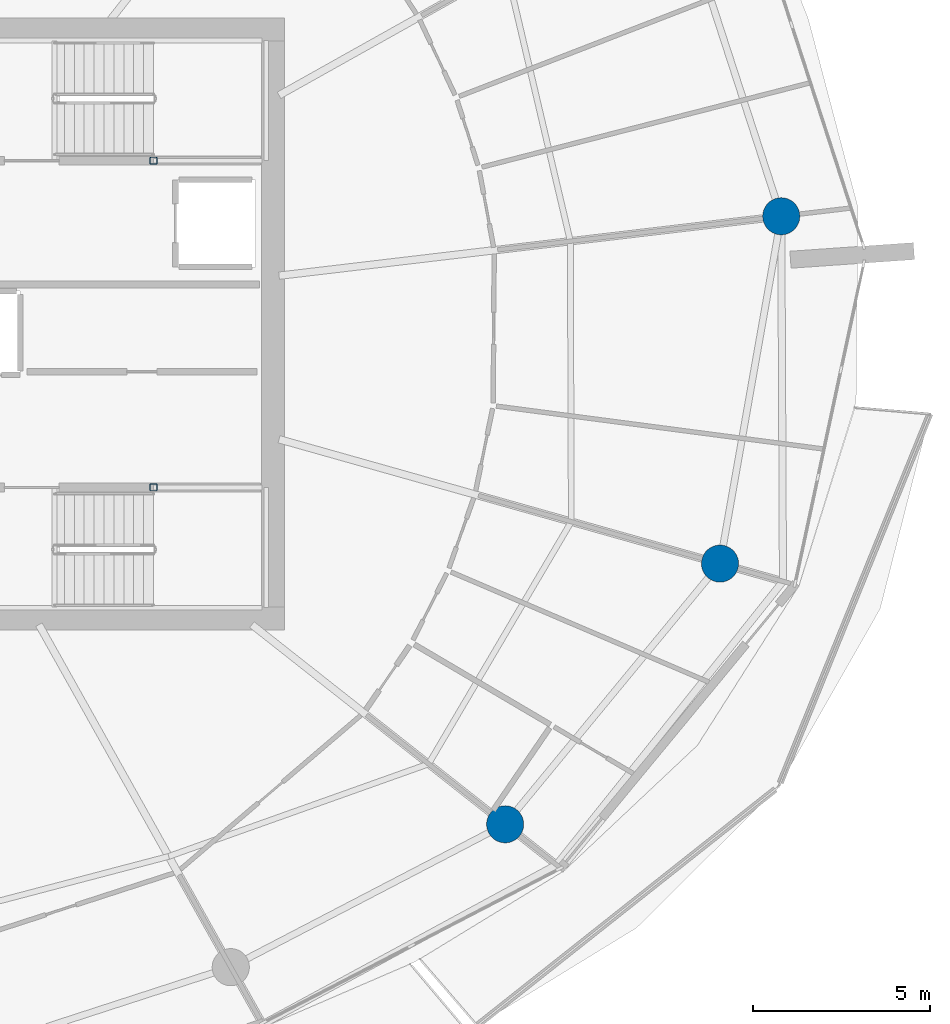
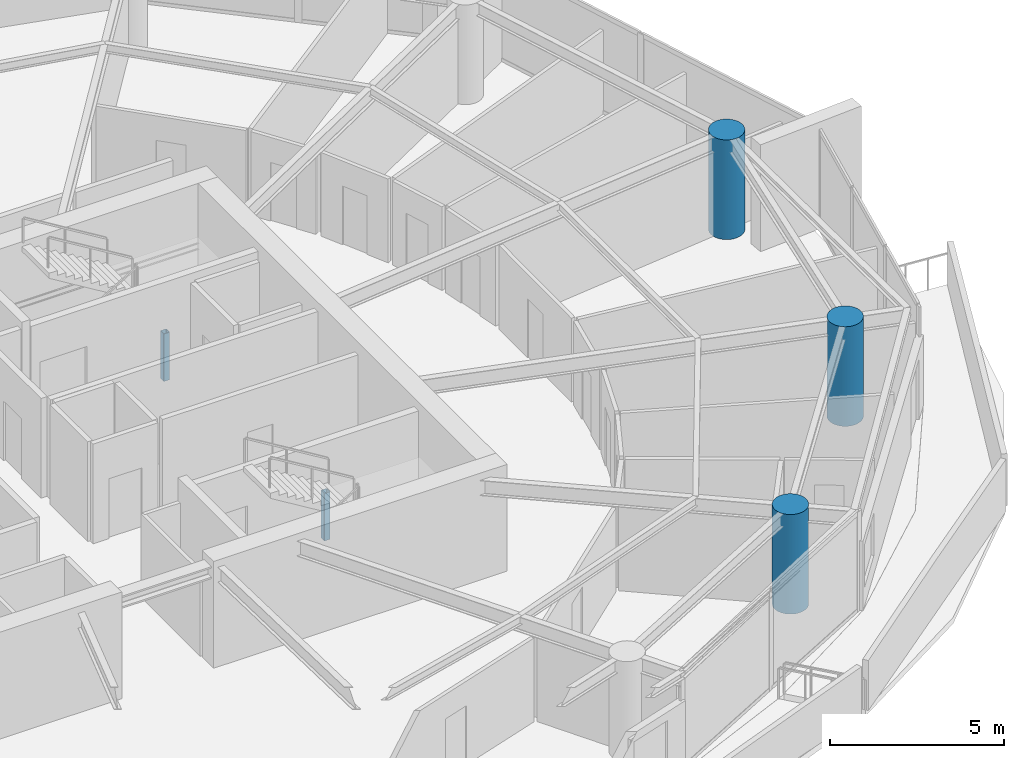
# One storey, part 3 of 20: 5 columns.
"""IFC4 building model written with IfcOpenShell, lengths in metres."""

from ifc_helpers import new_model, si_unit, direction, frame, origin, origin_2d, place, context, subcontext, project, spatial, hollow_rectangle, circle, extrude, material, material_profile, profile_set, type_object, element, save


model = new_model("IFC4")

# Units and contexts
model_context = context("Model", 3, precision=1e-05, world=origin(), true_north=direction((0.0, 1.0)))
body_context = subcontext(model_context, "Body", "Model", "MODEL_VIEW")
ifc_project = project(units=[si_unit("LENGTHUNIT", "METRE"), si_unit("AREAUNIT", "SQUARE_METRE"), si_unit("VOLUMEUNIT", "CUBIC_METRE"), si_unit("PLANEANGLEUNIT", "RADIAN"), si_unit("MASSUNIT", "GRAM", prefix="KILO")], contexts=[model_context])

# Site, building, storey
site_placement = place(None, origin())
site = spatial("IfcSite", under=ifc_project, at=site_placement, CompositionType="ELEMENT")
building_placement = place(site_placement, origin())
building = spatial("IfcBuilding", under=site, at=building_placement, Name="Kazma Halo Residences", CompositionType="ELEMENT")
storey_placement = place(building_placement, frame((0.0, 0.0, 217.800048828125)))
storey = spatial("IfcBuildingStorey", under=building, at=storey_placement, Name="L55", CompositionType="ELEMENT", Elevation=217.800048828125)

# Columns
ifc_material_1 = material(Name="Steel S355", Category="steel")
ifc_material_profile_1 = material_profile(ifc_material_1, hollow_rectangle(XDim=0.199951171875, YDim=0.199951171875, WallThickness=0.010009765625, InnerFilletRadius=0.010009765625, OuterFilletRadius=0.02001953125, at=origin_2d()), Name="SHS200x200x10")
ifc_profile_set_1 = profile_set([ifc_material_profile_1], Name="Steel S355")
column_type_1 = type_object("IfcColumnType", Name="COL-LP-SHS200", PredefinedType="COLUMN", material=ifc_profile_set_1)
for number, where, z_axis, x_axis, name in (
    (1, (56.0, 46.6201171875, 0.0), (0.0, 0.0, 1.0), (1.0, 0.0, 0.0), "L55 ST-02 landing pilaster 1"),
    (2, (56.0, 37.3798828125, 0.0), (0.0, 0.0, 1.0), (1.0, 0.0, 0.0), "L55 ST-03 landing pilaster 1"),
):
    element("IfcColumn", number, at=place(storey_placement, frame(where, z_axis=z_axis, x_axis=x_axis)), inside=storey, type_object=column_type_1, Name=name, PredefinedType="COLUMN", context=body_context, shape_type="SweptSolid", body=[
        extrude(hollow_rectangle(XDim=0.199951171875, YDim=0.199951171875, WallThickness=0.010009765625, InnerFilletRadius=0.010009765625, OuterFilletRadius=0.02001953125, at=origin_2d()), origin(), (0.0, 0.0, 1.0), 1.669921875),
    ])
ifc_material_2 = material(Name="Concrete C80/95", Category="concrete")
ifc_material_profile_2 = material_profile(ifc_material_2, circle(Radius=0.52490234375, at=origin_2d()), Name="CIRC1050")
ifc_profile_set_2 = profile_set([ifc_material_profile_2], Name="Concrete C80/95")
column_type_2 = type_object("IfcColumnType", Name="COL-PERIM-1050", PredefinedType="COLUMN", material=ifc_profile_set_2)
for number, where, z_axis, x_axis, name in (
    (3, (65.944091796875, 27.85400390625, 0.0), (0.0, 0.0, 1.0), (1.0, 0.0, 0.0), "L55 perimeter ring column P14"),
    (4, (72.019775390625, 35.2255859375, 0.0), (0.0, 0.0, 1.0), (1.0, 0.0, 0.0), "L55 perimeter ring column P15"),
    (5, (73.751708984375, 45.0478515625, 0.0), (0.0, 0.0, 1.0), (1.0, 0.0, 0.0), "L55 perimeter ring column P16"),
):
    element("IfcColumn", number, at=place(storey_placement, frame(where, z_axis=z_axis, x_axis=x_axis)), inside=storey, type_object=column_type_2, Name=name, PredefinedType="COLUMN", context=body_context, shape_type="SweptSolid", body=[
        extrude(circle(Radius=0.52490234375, at=origin_2d()), origin(), (0.0, 0.0, 1.0), 3.5),
    ])

save(model, "model.ifc")
